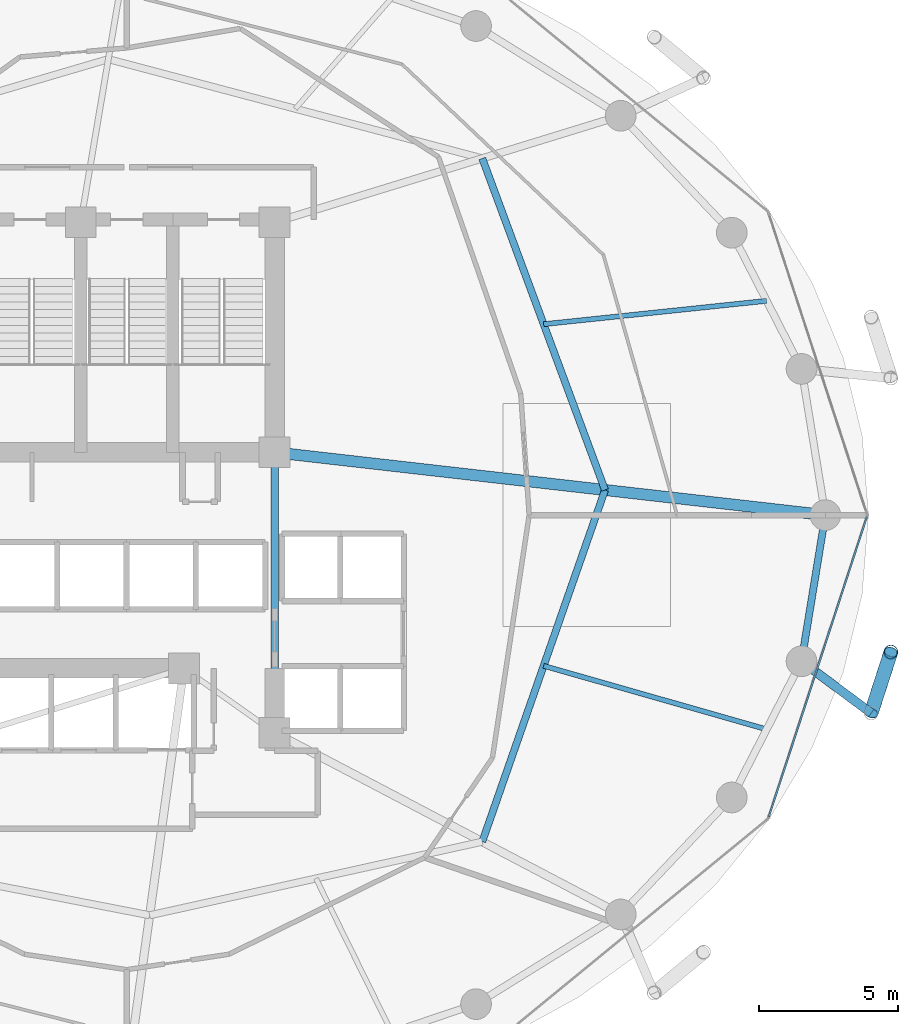
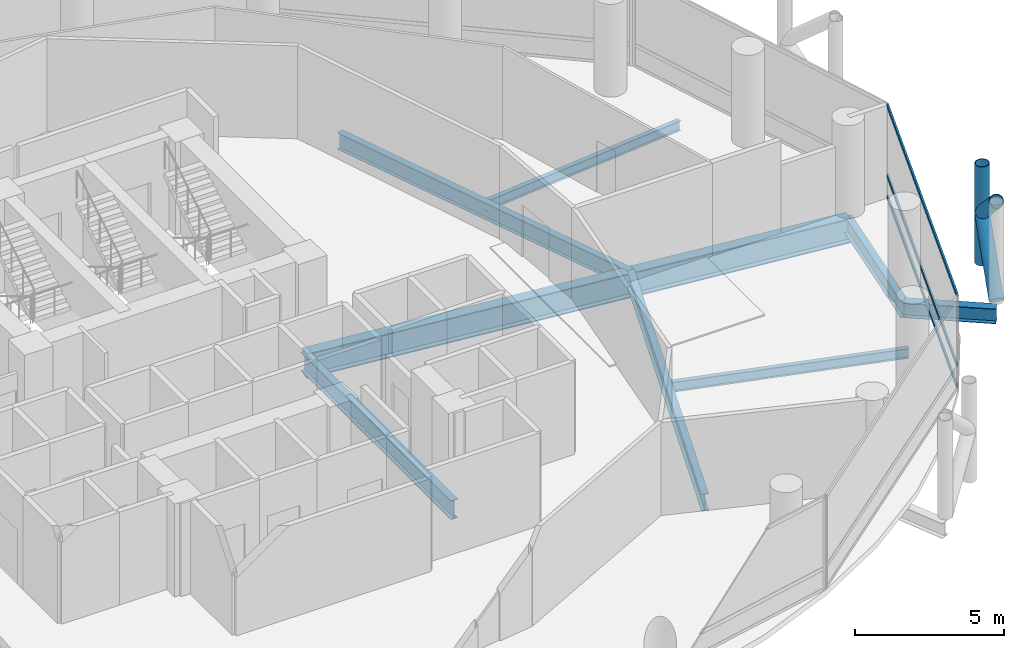
# One storey, part 11 of 24: 8 beams, 6 members, 1 element without a shape of its own.
"""IFC4 building model written with IfcOpenShell, lengths in metres."""

from ifc_helpers import new_model, si_unit, direction, frame, origin, origin_2d, place, context, subcontext, project, spatial, hollow_rectangle, hollow_circle, i_section, extrude, material, layer, layer_set, material_profile, profile_set, type_object, element, aggregate, save


model = new_model("IFC4")

# Units and contexts
model_context = context("Model", 3, precision=1e-05, world=origin(), true_north=direction((0.0, 1.0)))
body_context = subcontext(model_context, "Body", "Model", "MODEL_VIEW")
ifc_project = project(units=[si_unit("LENGTHUNIT", "METRE"), si_unit("AREAUNIT", "SQUARE_METRE"), si_unit("VOLUMEUNIT", "CUBIC_METRE"), si_unit("PLANEANGLEUNIT", "RADIAN"), si_unit("MASSUNIT", "GRAM", prefix="KILO")], contexts=[model_context])

# Site, building, storey
site_placement = place(None, origin())
site = spatial("IfcSite", under=ifc_project, at=site_placement, CompositionType="ELEMENT")
building_placement = place(site_placement, origin())
building = spatial("IfcBuilding", under=site, at=building_placement, Name="Nuhasar Tower", CompositionType="ELEMENT")
storey_placement = place(building_placement, frame((0.0, 0.0, 69.60009765625)))
storey = spatial("IfcBuildingStorey", under=building, at=storey_placement, Name="L16", CompositionType="ELEMENT", Elevation=69.60009765625)

# Beams
ifc_material_1 = material(Name="Steel S355", Category="steel")
ifc_material_profile_1 = material_profile(ifc_material_1, i_section(OverallWidth=0.25390625, OverallDepth=0.68408203125, WebThickness=0.012451171875, FlangeThickness=0.018798828125, at=origin_2d()), Name="W27X94")
ifc_profile_set_1 = profile_set([ifc_material_profile_1], Name="Steel S355")
beam_type_1 = type_object("IfcBeamType", Name="BM-INRING-W27X94", PredefinedType="BEAM", material=ifc_profile_set_1)
beam_1_placement = place(storey_placement, frame((51.748046875, 15.089111328125, -0.592041015625), z_axis=(0.329554049858, 0.944136710558, 0.0), x_axis=(-0.944136710558, 0.329554049858, 0.0)))
element("IfcBeam", 1, at=beam_1_placement, inside=storey, type_object=beam_type_1, Name="L16 Inner Header Beam 03", PredefinedType="BEAM", context=body_context, shape_type="SweptSolid", body=[
    extrude(i_section(OverallWidth=0.25390625, OverallDepth=0.68408203125, WebThickness=0.012451171875, FlangeThickness=0.018798828125, at=origin_2d()), origin(), (0.0, 0.0, 1.0), 13.35693359375),
])
beam_2_placement = place(storey_placement, frame((56.14990234375, 27.699951171875, -0.592041015625), z_axis=(-0.34715757476, 0.937806812881, 0.0), x_axis=(-0.937806812881, -0.34715757476, 0.0)))
element("IfcBeam", 2, at=beam_2_placement, inside=storey, type_object=beam_type_1, Name="L16 Inner Header Beam 04", PredefinedType="BEAM", context=body_context, shape_type="SweptSolid", body=[
    extrude(i_section(OverallWidth=0.25390625, OverallDepth=0.68408203125, WebThickness=0.012451171875, FlangeThickness=0.018798828125, at=origin_2d()), origin(), (0.0, 0.0, 1.0), 12.6796875),
])
ifc_material_profile_2 = material_profile(ifc_material_1, i_section(OverallWidth=0.177978515625, OverallDepth=0.406005859375, WebThickness=0.0078125, FlangeThickness=0.0126953125, at=origin_2d()), Name="W16X40")
ifc_profile_set_2 = profile_set([ifc_material_profile_2], Name="Steel S355")
beam_type_2 = type_object("IfcBeamType", Name="BM-JST-W16X40", PredefinedType="JOIST", material=ifc_profile_set_2)
beam_3_placement = place(storey_placement, frame((53.948974609375, 21.39501953125, -0.453125), z_axis=(0.961730884496, -0.273995813484, 0.0), x_axis=(0.273995813484, 0.961730884496, 0.0)))
element("IfcBeam", 3, at=beam_3_placement, inside=storey, type_object=beam_type_2, Name="L16 Secondary Floor Joist 03", PredefinedType="JOIST", context=body_context, shape_type="SweptSolid", body=[
    extrude(i_section(OverallWidth=0.177978515625, OverallDepth=0.406005859375, WebThickness=0.0078125, FlangeThickness=0.0126953125, at=origin_2d()), origin(), (0.0, 0.0, 1.0), 8.314208984375),
])
beam_4_placement = place(storey_placement, frame((53.948974609375, 33.64501953125, -0.453125), z_axis=(0.994554594377, 0.104216883485, 0.0), x_axis=(-0.104216883485, 0.994554594377, 0.0)))
element("IfcBeam", 4, at=beam_4_placement, inside=storey, type_object=beam_type_2, Name="L16 Secondary Floor Joist 04", PredefinedType="JOIST", context=body_context, shape_type="SweptSolid", body=[
    extrude(i_section(OverallWidth=0.177978515625, OverallDepth=0.406005859375, WebThickness=0.0078125, FlangeThickness=0.0126953125, at=origin_2d()), origin(), (0.0, 0.0, 1.0), 8.039794921875),
])
ifc_material_profile_3 = material_profile(ifc_material_1, i_section(OverallWidth=0.26611328125, OverallDepth=0.779052734375, WebThickness=0.0166015625, FlangeThickness=0.030029296875, at=origin_2d()), Name="W30X148")
ifc_profile_set_3 = profile_set([ifc_material_profile_3], Name="Steel S355")
beam_type_3 = type_object("IfcBeamType", Name="BM-RAD-W30X148", PredefinedType="BEAM", material=ifc_profile_set_3)
beam_5_placement = place(storey_placement, frame((44.300048828125, 19.0, -0.64013671875), z_axis=(0.0, 1.0, 0.0), x_axis=(-1.0, 0.0, 0.0)))
element("IfcBeam", 5, at=beam_5_placement, inside=storey, type_object=beam_type_3, Name="L16 Core Ring Girder 3", PredefinedType="BEAM", context=body_context, shape_type="SweptSolid", body=[
    extrude(i_section(OverallWidth=0.26611328125, OverallDepth=0.779052734375, WebThickness=0.0166015625, FlangeThickness=0.030029296875, at=origin_2d()), origin(), (0.0, 0.0, 1.0), 10.050048828125),
])
ifc_material_profile_4 = material_profile(ifc_material_1, i_section(OverallWidth=0.256103515625, OverallDepth=0.693115234375, WebThickness=0.014404296875, FlangeThickness=0.023681640625, at=origin_2d()), Name="W27X114")
ifc_profile_set_4 = profile_set([ifc_material_profile_4], Name="Steel S355")
beam_type_4 = type_object("IfcBeamType", Name="BM-RING-W27X114", PredefinedType="SPANDREL", material=ifc_profile_set_4)
beam_6_placement = place(storey_placement, frame((63.196044921875, 21.55908203125, -0.59716796875), z_axis=(0.160826635486, 0.986982671235, 0.0), x_axis=(-0.986982671235, 0.160826635486, 0.0)))
element("IfcBeam", 6, at=beam_6_placement, inside=storey, type_object=beam_type_4, Name="L16 Perimeter Ring Spandrel 24", PredefinedType="SPANDREL", context=body_context, shape_type="SweptSolid", body=[
    extrude(i_section(OverallWidth=0.256103515625, OverallDepth=0.693115234375, WebThickness=0.014404296875, FlangeThickness=0.023681640625, at=origin_2d()), origin(), (0.0, 0.0, 1.0), 5.31005859375),
])
ifc_material_profile_5 = material_profile(ifc_material_1, i_section(OverallWidth=0.323974609375, OverallDepth=0.611083984375, WebThickness=0.0126953125, FlangeThickness=0.01904296875, at=origin_2d()), Name="W24X104")
ifc_profile_set_5 = profile_set([ifc_material_profile_5], Name="Steel S355")
beam_type_5 = type_object("IfcBeamType", Name="BM-TIE-W24X104", PredefinedType="BEAM", material=ifc_profile_set_5)
beam_7_placement = place(storey_placement, frame((63.196044921875, 21.55908203125, -0.55615234375), z_axis=(0.802113478067, -0.597171640572, 0.0), x_axis=(0.597171640572, 0.802113478067, 0.0)))
element("IfcBeam", 7, at=beam_7_placement, inside=storey, type_object=beam_type_5, Name="L16 Exoskeleton Node Tie Beam 12", PredefinedType="BEAM", context=body_context, shape_type="SweptSolid", body=[
    extrude(i_section(OverallWidth=0.323974609375, OverallDepth=0.611083984375, WebThickness=0.0126953125, FlangeThickness=0.01904296875, at=origin_2d()), origin(), (0.0, 0.0, 1.0), 3.111572265625),
])
ifc_material_2 = material(Name="Steel S460", Category="steel")
ifc_material_profile_6 = material_profile(ifc_material_2, i_section(OverallWidth=0.40087890625, OverallDepth=1.010009765625, WebThickness=0.023681640625, FlangeThickness=0.0419921875, at=origin_2d()), Name="W40X297")
ifc_profile_set_6 = profile_set([ifc_material_profile_6], Name="Steel S460")
beam_type_6 = type_object("IfcBeamType", Name="BM-XFER-W40X297", PredefinedType="USERDEFINED", material=ifc_profile_set_6)
beam_8_placement = place(storey_placement, frame((44.300048828125, 29.050048828125, -0.755126953125), z_axis=(0.993573147212, -0.113191877531, 0.0), x_axis=(0.113191877531, 0.993573147212, 0.0)))
element("IfcBeam", 8, at=beam_8_placement, inside=storey, type_object=beam_type_6, Name="L16 Radial Floor Girder 04", ObjectType="GIRDER", PredefinedType="USERDEFINED", context=body_context, shape_type="SweptSolid", body=[
    extrude(i_section(OverallWidth=0.40087890625, OverallDepth=1.010009765625, WebThickness=0.023681640625, FlangeThickness=0.0419921875, at=origin_2d()), origin(), (0.0, 0.0, 1.0), 19.877685546875),
])

# Curtain wall, members
ifc_material_3 = material(Name="Aluminium 6063-T6", Category="aluminium")
ifc_layer = layer(ifc_material_3, 0.199951171875)
ifc_layer_set = layer_set([ifc_layer], Name="Aluminium 6063-T6")
curtain_wall_type = type_object("IfcCurtainWallType", Name="CW-Z1-OFF", PredefinedType="NOTDEFINED", material=ifc_layer_set)
curtain_wall_placement = place(storey_placement, origin())
curtain_wall = element("IfcCurtainWall", 9, at=curtain_wall_placement, inside=storey, type_object=curtain_wall_type, Name="L16 Unitised Curtain Wall 12", PredefinedType="NOTDEFINED")
ifc_material_profile_7 = material_profile(ifc_material_3, hollow_rectangle(XDim=0.06494140625, YDim=0.14990234375, WallThickness=0.00439453125, at=origin_2d()), Name="CWT-2")
ifc_profile_set_7 = profile_set([ifc_material_profile_7], Name="Aluminium 6063-T6")
member_type_1 = type_object("IfcMemberType", Name="CW-TRN-S2", PredefinedType="USERDEFINED", material=ifc_profile_set_7)
member_1_placement = place(storey_placement, frame((62.022216796875, 15.981689453125, 0.032470703125), z_axis=(0.310818687697, 0.950469222741, 0.0), x_axis=(-0.950469222741, 0.310818687697, 0.0)))
member_1 = element("IfcMember", 10, at=member_1_placement, type_object=member_type_1, Name="CW-Z1 transom 1.1", ObjectType="TRANSOM", PredefinedType="USERDEFINED", context=body_context, shape_type="SweptSolid", body=[
    extrude(hollow_rectangle(XDim=0.06494140625, YDim=0.14990234375, WallThickness=0.00439453125, at=origin_2d()), origin(), (0.0, 0.0, 1.0), 11.317138671875),
])
member_2_placement = place(storey_placement, frame((62.022216796875, 15.981689453125, 0.89990234375), z_axis=(0.310818687697, 0.950469222741, 0.0), x_axis=(-0.950469222741, 0.310818687697, 0.0)))
member_2 = element("IfcMember", 11, at=member_2_placement, type_object=member_type_1, Name="CW-Z1 transom 1.2", ObjectType="TRANSOM", PredefinedType="USERDEFINED", context=body_context, shape_type="SweptSolid", body=[
    extrude(hollow_rectangle(XDim=0.06494140625, YDim=0.14990234375, WallThickness=0.00439453125, at=origin_2d()), origin(), (0.0, 0.0, 1.0), 11.317138671875),
])
member_3_placement = place(storey_placement, frame((62.022216796875, 15.981689453125, 3.767333984375), z_axis=(0.310818687697, 0.950469222741, 0.0), x_axis=(-0.950469222741, 0.310818687697, 0.0)))
member_3 = element("IfcMember", 12, at=member_3_placement, type_object=member_type_1, Name="CW-Z1 transom 1.3", ObjectType="TRANSOM", PredefinedType="USERDEFINED", context=body_context, shape_type="SweptSolid", body=[
    extrude(hollow_rectangle(XDim=0.06494140625, YDim=0.14990234375, WallThickness=0.00439453125, at=origin_2d()), origin(), (0.0, 0.0, 1.0), 11.317138671875),
])
aggregate(curtain_wall, [member_1, member_2, member_3])

# Members
ifc_material_profile_8 = material_profile(ifc_material_2, hollow_circle(Radius=0.25390625, WallThickness=0.025390625, at=origin_2d()), Name="HSS508X25.4")
ifc_profile_set_8 = profile_set([ifc_material_profile_8], Name="Steel S460")
member_type_2 = type_object("IfcMemberType", Name="EXO-BRONZE-508", PredefinedType="BRACE", material=ifc_profile_set_8)
member_4_placement = place(storey_placement, frame((66.39990234375, 21.889892578125, 0.0), z_axis=(0.0, 0.0, 1.0), x_axis=(1.0, 0.0, 0.0)))
element("IfcMember", 13, at=member_4_placement, inside=storey, type_object=member_type_2, Name="L16 Exoskeleton Chord Column EC-12B", PredefinedType="BRACE", context=body_context, shape_type="SweptSolid", body=[
    extrude(hollow_circle(Radius=0.25390625, WallThickness=0.025390625, at=origin_2d()), origin(), (0.0, 0.0, 1.0), 4.0498046875),
])
for number, where, z_axis, x_axis, name in (
    (14, (65.69189453125, 19.700927734375, 0.0), (0.231011836313, 0.714224870475, 0.660693851854), (-0.951468282519, 0.307746823478, 0.0), "L16 Bronze Diagrid Brace W1-12"),
    (15, (66.39990234375, 21.889892578125, 2.02490234375), (-0.231011836313, -0.714224870475, 0.660693851854), (0.951468282519, -0.307746823478, 0.0), "L16 Bronze Diagrid Brace W2-12"),
):
    element("IfcMember", number, at=place(storey_placement, frame(where, z_axis=z_axis, x_axis=x_axis)), inside=storey, type_object=member_type_2, Name=name, PredefinedType="BRACE", context=body_context, shape_type="SweptSolid", body=[
        extrude(hollow_circle(Radius=0.25390625, WallThickness=0.025390625, at=origin_2d()), origin(), (0.0, 0.0, 1.0), 3.064697265625),
    ])

save(model, "model.ifc")
